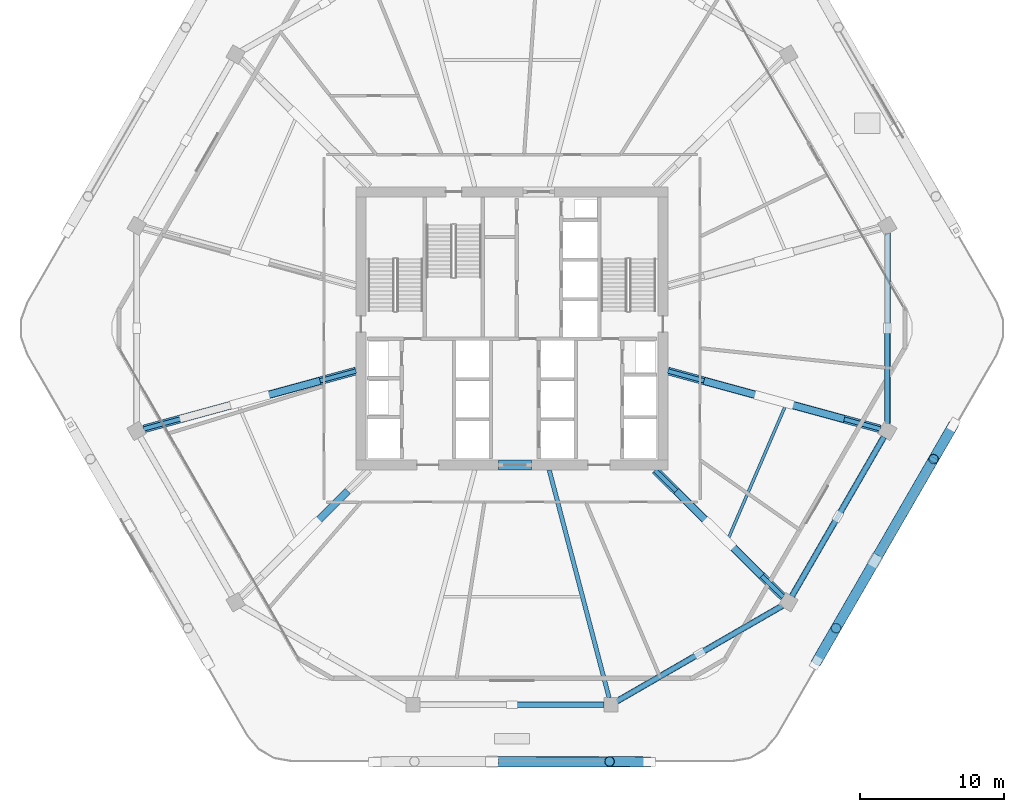
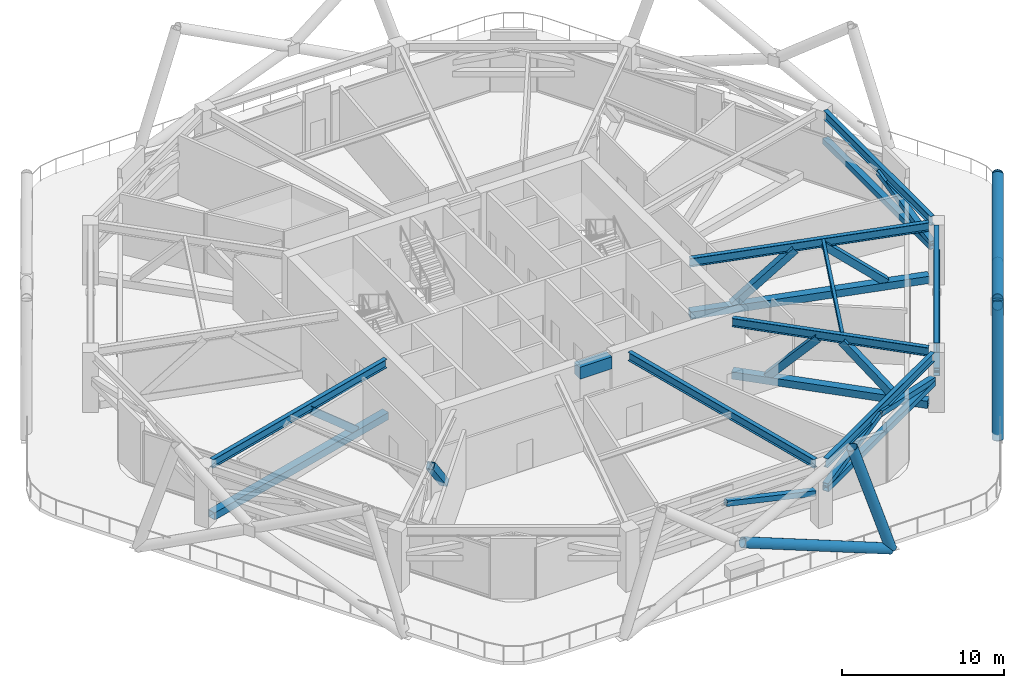
# One storey, part 5 of 20: 25 members, 9 beams.
"""IFC4 building model written with IfcOpenShell, lengths in metres."""

from ifc_helpers import new_model, si_unit, direction, frame, origin, origin_2d, place, context, subcontext, project, spatial, rectangle, hollow_rectangle, hollow_circle, i_section, extrude, material, material_profile, profile_set, type_object, element, save


model = new_model("IFC4")

# Units and contexts
model_context = context("Model", 3, precision=1e-05, world=origin(), true_north=direction((0.0, 1.0)))
body_context = subcontext(model_context, "Body", "Model", "MODEL_VIEW")
ifc_project = project(units=[si_unit("LENGTHUNIT", "METRE"), si_unit("AREAUNIT", "SQUARE_METRE"), si_unit("VOLUMEUNIT", "CUBIC_METRE"), si_unit("PLANEANGLEUNIT", "RADIAN"), si_unit("MASSUNIT", "GRAM", prefix="KILO")], contexts=[model_context])

# Site, building, storey
site_placement = place(None, origin())
site = spatial("IfcSite", under=ifc_project, at=site_placement, CompositionType="ELEMENT")
building_placement = place(site_placement, origin())
building = spatial("IfcBuilding", under=site, at=building_placement, Name="Zuhravey Tower", CompositionType="ELEMENT")
storey_placement = place(building_placement, frame((0.0, 0.0, 145.60009765625)))
storey = spatial("IfcBuildingStorey", under=building, at=storey_placement, Name="L36", CompositionType="ELEMENT", Elevation=145.60009765625)

# Members
ifc_material_1 = material(Name="Steel SM355", Category="steel")
ifc_material_profile_1 = material_profile(ifc_material_1, hollow_rectangle(XDim=0.419921875, YDim=0.419921875, WallThickness=0.028076171875, at=origin_2d()), Name="RHS-420x420x28")
ifc_profile_set_1 = profile_set([ifc_material_profile_1], Name="Steel SM355")
member_type_1 = type_object("IfcMemberType", Name="Belt Truss Chord RHS420x420", PredefinedType="CHORD", material=ifc_profile_set_1)
member_1_placement = place(storey_placement, frame((43.3193359375, 6.079345703125, 2.27001953125), z_axis=(0.866022260515, 0.500005444263, 0.0), x_axis=(-0.500005444263, 0.866022260515, 0.0)))
element("IfcMember", 1, at=member_1_placement, inside=storey, type_object=member_type_1, Name="L36 Belt Truss Bottom Chord BTC1-09", PredefinedType="CHORD", context=body_context, shape_type="SweptSolid", body=[
    extrude(hollow_rectangle(XDim=0.419921875, YDim=0.419921875, WallThickness=0.028076171875, at=origin_2d()), origin(), (0.0, 0.0, 1.0), 13.242919921875),
])
member_2_placement = place(storey_placement, frame((55.47802734375, 13.390625, 2.27001953125), z_axis=(0.499984807588, 0.86603417495, 0.0), x_axis=(-0.86603417495, 0.499984807588, 0.0)))
element("IfcMember", 2, at=member_2_placement, inside=storey, type_object=member_type_1, Name="L36 Belt Truss Bottom Chord BTC1-10", PredefinedType="CHORD", context=body_context, shape_type="SweptSolid", body=[
    extrude(hollow_rectangle(XDim=0.419921875, YDim=0.419921875, WallThickness=0.028076171875, at=origin_2d()), origin(), (0.0, 0.0, 1.0), 12.75439453125),
])
member_3_placement = place(storey_placement, frame((62.107666015625, 25.37841796875, 2.27001953125), z_axis=(0.0, 1.0, 0.0), x_axis=(-1.0, 0.0, 0.0)))
element("IfcMember", 3, at=member_3_placement, inside=storey, type_object=member_type_1, Name="L36 Belt Truss Bottom Chord BTC1-11", PredefinedType="CHORD", context=body_context, shape_type="SweptSolid", body=[
    extrude(hollow_rectangle(XDim=0.419921875, YDim=0.419921875, WallThickness=0.028076171875, at=origin_2d()), origin(), (0.0, 0.0, 1.0), 13.2431640625),
])
ifc_material_profile_2 = material_profile(ifc_material_1, hollow_rectangle(XDim=0.39990234375, YDim=0.39990234375, WallThickness=0.02490234375, at=origin_2d()), Name="RHS-400x400x25")
ifc_profile_set_2 = profile_set([ifc_material_profile_2], Name="Steel SM355")
member_type_2 = type_object("IfcMemberType", Name="Belt Truss Diagonal RHS400x400", PredefinedType="BRACE", material=ifc_profile_set_2)
member_4_placement = place(storey_placement, frame((42.3623046875, 5.826904296875, 2.4931640625), z_axis=(-0.975440481227, 0.0, 0.220263178003), x_axis=(0.0, -1.0, 0.0)))
element("IfcMember", 4, at=member_4_placement, inside=storey, type_object=member_type_2, Name="L36 Belt Truss Diagonal BTD1-08.2", PredefinedType="BRACE", context=body_context, shape_type="SweptSolid", body=[
    extrude(hollow_rectangle(XDim=0.39990234375, YDim=0.39990234375, WallThickness=0.02490234375, at=origin_2d()), origin(), (0.0, 0.0, 1.0), 6.49755859375),
])
for number, where, z_axis, x_axis, name in (
    (5, (43.33203125, 6.086669921875, 2.4931640625), (0.846240512643, 0.488593445156, 0.212493388395), (-0.500012477951, 0.866018199516, 0.0), "L36 Belt Truss Diagonal BTD1-09.1"),
    (6, (54.775390625, 12.693603515625, 2.4931640625), (-0.846240512643, -0.488593445156, 0.212493388395), (0.500012477951, -0.866018199516, 0.0), "L36 Belt Truss Diagonal BTD1-09.2"),
):
    element("IfcMember", number, at=place(storey_placement, frame(where, z_axis=z_axis, x_axis=x_axis)), inside=storey, type_object=member_type_2, Name=name, PredefinedType="BRACE", context=body_context, shape_type="SweptSolid", body=[
        extrude(hollow_rectangle(XDim=0.39990234375, YDim=0.39990234375, WallThickness=0.02490234375, at=origin_2d()), origin(), (0.0, 0.0, 1.0), 6.736083984375),
    ])
member_5_placement = place(storey_placement, frame((55.4853515625, 13.4033203125, 2.4931640625), z_axis=(0.487705061621, 0.844766787399, 0.220256322899), x_axis=(-0.866034845904, 0.499983645413, 0.0)))
element("IfcMember", 7, at=member_5_placement, inside=storey, type_object=member_type_2, Name="L36 Belt Truss Diagonal BTD1-10.1", PredefinedType="BRACE", context=body_context, shape_type="SweptSolid", body=[
    extrude(hollow_rectangle(XDim=0.39990234375, YDim=0.39990234375, WallThickness=0.02490234375, at=origin_2d()), origin(), (0.0, 0.0, 1.0), 6.49755859375),
])
member_6_placement = place(storey_placement, frame((61.847900390625, 24.423583984375, 2.4931640625), z_axis=(-0.487733697304, -0.844751307024, 0.220252286696), x_axis=(0.866018166656, -0.500012534865, 0.0)))
element("IfcMember", 8, at=member_6_placement, inside=storey, type_object=member_type_2, Name="L36 Belt Truss Diagonal BTD1-10.2", PredefinedType="BRACE", context=body_context, shape_type="SweptSolid", body=[
    extrude(hollow_rectangle(XDim=0.39990234375, YDim=0.39990234375, WallThickness=0.02490234375, at=origin_2d()), origin(), (0.0, 0.0, 1.0), 6.497802734375),
])
member_7_placement = place(storey_placement, frame((62.107666015625, 25.39306640625, 2.4931640625), z_axis=(0.0, 0.977163605411, 0.212488324995), x_axis=(-1.0, 0.0, 0.0)))
element("IfcMember", 9, at=member_7_placement, inside=storey, type_object=member_type_2, Name="L36 Belt Truss Diagonal BTD1-11.1", PredefinedType="BRACE", context=body_context, shape_type="SweptSolid", body=[
    extrude(hollow_rectangle(XDim=0.39990234375, YDim=0.39990234375, WallThickness=0.02490234375, at=origin_2d()), origin(), (0.0, 0.0, 1.0), 6.736328125),
])

# Beam
ifc_material_2 = material(Name="Concrete C60/75", Category="concrete")
ifc_material_profile_3 = material_profile(ifc_material_2, rectangle(XDim=0.699951171875, YDim=0.89990234375, at=origin_2d()), Name="RC-700x900")
ifc_profile_set_3 = profile_set([ifc_material_profile_3], Name="Concrete C60/75")
beam_type_1 = type_object("IfcBeamType", Name="Core Coupling Beam RC700x900", PredefinedType="LINTEL", material=ifc_profile_set_3)
beam_1_placement = place(storey_placement, frame((35.052001953125, 22.5, 4.099853515625), z_axis=(1.0, 0.0, 0.0), x_axis=(0.0, 1.0, 0.0)))
element("IfcBeam", 10, at=beam_1_placement, inside=storey, type_object=beam_type_1, Name="L36 CB1 BM-L36-CB-S", PredefinedType="LINTEL", context=body_context, shape_type="SweptSolid", body=[
    extrude(rectangle(XDim=0.699951171875, YDim=0.89990234375, at=origin_2d()), origin(), (0.0, 0.0, 1.0), 2.2958984375),
])

# Members
ifc_material_3 = material(Name="Steel SM460", Category="steel")
ifc_material_profile_4 = material_profile(ifc_material_3, hollow_circle(Radius=0.355712890625, WallThickness=0.031982421875, at=origin_2d()), Name="CHS-711.2x32")
ifc_profile_set_4 = profile_set([ifc_material_profile_4], Name="Steel SM460")
member_type_3 = type_object("IfcMemberType", Name="Exoskeleton Zone 2 Diagrid CHS711x32", PredefinedType="BRACE", material=ifc_profile_set_4)
member_8_placement = place(storey_placement, frame((45.548583984375, 1.846923828125, -0.47412109375), z_axis=(-0.30602065089, 0.003301018515, 0.952019151333), x_axis=(-0.010786286721, -0.999941826317, 0.0)))
element("IfcMember", 11, at=member_8_placement, inside=storey, type_object=member_type_3, Name="L36 Face 5 Diagrid Brace 4", PredefinedType="BRACE", context=body_context, shape_type="SweptSolid", body=[
    extrude(hollow_circle(Radius=0.355712890625, WallThickness=0.031982421875, at=origin_2d()), origin(), (0.0, 0.0, 1.0), 9.02294921875),
])
member_9_placement = place(storey_placement, frame((45.51513671875, 1.846923828125, -0.478271484375), z_axis=(-0.930282683061, 0.001287915295, 0.366841206616), x_axis=(-0.001384433016, -0.999999041672, 0.0)))
element("IfcMember", 12, at=member_9_placement, inside=storey, type_object=member_type_3, Name="L36 Face 5 Split Diagrid Brace 3A", PredefinedType="BRACE", context=body_context, shape_type="SweptSolid", body=[
    extrude(hollow_circle(Radius=0.355712890625, WallThickness=0.031982421875, at=origin_2d()), origin(), (0.0, 0.0, 1.0), 11.373779296875),
])
member_10_placement = place(storey_placement, frame((57.1572265625, 8.75927734375, -0.47412109375), z_axis=(0.153011979061, 0.265004301135, 0.952029440009), x_axis=(-0.866008883427, 0.500028613006, 0.0)))
element("IfcMember", 13, at=member_10_placement, inside=storey, type_object=member_type_3, Name="L36 Face 6 Diagrid Brace 1", PredefinedType="BRACE", context=body_context, shape_type="SweptSolid", body=[
    extrude(hollow_circle(Radius=0.355712890625, WallThickness=0.031982421875, at=origin_2d()), origin(), (0.0, 0.0, 1.0), 9.02294921875),
])
member_11_placement = place(storey_placement, frame((57.1728515625, 8.786376953125, -0.47412109375), z_axis=(0.44209943779, 0.765738370388, 0.467111159384), x_axis=(-0.866025313912, 0.500000155664, 0.0)))
element("IfcMember", 14, at=member_11_placement, inside=storey, type_object=member_type_3, Name="L36 Face 6 Diagrid Brace 2", PredefinedType="BRACE", context=body_context, shape_type="SweptSolid", body=[
    extrude(hollow_circle(Radius=0.355712890625, WallThickness=0.031982421875, at=origin_2d()), origin(), (0.0, 0.0, 1.0), 18.389892578125),
])
member_12_placement = place(storey_placement, frame((66.705810546875, 25.2978515625, -0.47412109375), z_axis=(-0.153010881853, -0.265029458489, 0.952022613265), x_axis=(0.866030989016, -0.499990325971, 0.0)))
element("IfcMember", 15, at=member_12_placement, inside=storey, type_object=member_type_3, Name="L36 Face 6 Diagrid Brace 4", PredefinedType="BRACE", context=body_context, shape_type="SweptSolid", body=[
    extrude(hollow_circle(Radius=0.355712890625, WallThickness=0.031982421875, at=origin_2d()), origin(), (0.0, 0.0, 1.0), 9.02294921875),
])
member_13_placement = place(storey_placement, frame((66.68896484375, 25.268798828125, -0.478271484375), z_axis=(-0.465130702236, -0.805655574647, 0.366841280226), x_axis=(0.866032274246, -0.499988099823, 0.0)))
element("IfcMember", 16, at=member_13_placement, inside=storey, type_object=member_type_3, Name="L36 Face 6 Split Diagrid Brace 3A", PredefinedType="BRACE", context=body_context, shape_type="SweptSolid", body=[
    extrude(hollow_circle(Radius=0.355712890625, WallThickness=0.031982421875, at=origin_2d()), origin(), (0.0, 0.0, 1.0), 11.373779296875),
])
member_14_placement = place(storey_placement, frame((61.10302734375, 15.593505859375, 4.03662109375), z_axis=(-0.390453349735, -0.676234043369, 0.624702889596), x_axis=(0.866009076391, -0.500028278809, 0.0)))
element("IfcMember", 17, at=member_14_placement, inside=storey, type_object=member_type_3, Name="L36 Face 6 Split Diagrid Brace 3B", PredefinedType="BRACE", context=body_context, shape_type="SweptSolid", body=[
    extrude(hollow_circle(Radius=0.355712890625, WallThickness=0.031982421875, at=origin_2d()), origin(), (0.0, 0.0, 1.0), 6.51904296875),
])
ifc_material_profile_5 = material_profile(ifc_material_3, hollow_rectangle(XDim=0.550048828125, YDim=0.550048828125, WallThickness=0.034912109375, at=origin_2d()), Name="RHS-550x550x35")
ifc_profile_set_5 = profile_set([ifc_material_profile_5], Name="Steel SM460")
member_type_4 = type_object("IfcMemberType", Name="Outrigger Truss Chord RHS550x550", PredefinedType="CHORD", material=ifc_profile_set_5)
member_15_placement = place(storey_placement, frame((25.14208984375, 29.0361328125, 0.31982421875), z_axis=(-0.964705930293, -0.263329580674, 0.0), x_axis=(0.263329580674, -0.964705930293, 0.0)))
element("IfcMember", 18, at=member_15_placement, inside=storey, type_object=member_type_4, Name="L36 Outrigger Bottom Chord OTC1-05", PredefinedType="CHORD", context=body_context, shape_type="SweptSolid", body=[
    extrude(hollow_rectangle(XDim=0.550048828125, YDim=0.550048828125, WallThickness=0.034912109375, at=origin_2d()), origin(), (0.0, 0.0, 1.0), 15.28564453125),
])
member_16_placement = place(storey_placement, frame((45.94921875, 22.1435546875, 0.31982421875), z_axis=(0.710400137377, -0.703798014216, 0.0), x_axis=(0.703798014216, 0.710400137377, 0.0)))
element("IfcMember", 19, at=member_16_placement, inside=storey, type_object=member_type_4, Name="L36 Outrigger Bottom Chord OTC1-07", PredefinedType="CHORD", context=body_context, shape_type="SweptSolid", body=[
    extrude(hollow_rectangle(XDim=0.550048828125, YDim=0.550048828125, WallThickness=0.034912109375, at=origin_2d()), origin(), (0.0, 0.0, 1.0), 12.535888671875),
])
member_17_placement = place(storey_placement, frame((46.85791015625, 29.0361328125, 0.31982421875), z_axis=(0.964705930293, -0.263329580674, 0.0), x_axis=(0.263329580674, 0.964705930293, 0.0)))
element("IfcMember", 20, at=member_17_placement, inside=storey, type_object=member_type_4, Name="L36 Outrigger Bottom Chord OTC1-08", PredefinedType="CHORD", context=body_context, shape_type="SweptSolid", body=[
    extrude(hollow_rectangle(XDim=0.550048828125, YDim=0.550048828125, WallThickness=0.034912109375, at=origin_2d()), origin(), (0.0, 0.0, 1.0), 15.28564453125),
])
ifc_material_profile_6 = material_profile(ifc_material_3, hollow_rectangle(XDim=0.5, YDim=0.5, WallThickness=0.031982421875, at=origin_2d()), Name="RHS-500x500x32")
ifc_profile_set_6 = profile_set([ifc_material_profile_6], Name="Steel SM460")
member_type_5 = type_object("IfcMemberType", Name="Outrigger Truss Diagonal RHS500x500", PredefinedType="BRACE", material=ifc_profile_set_6)
member_18_placement = place(storey_placement, frame((22.48779296875, 28.3115234375, 0.559814453125), z_axis=(-0.72669851559, -0.198333535266, 0.65770287838), x_axis=(0.263294134222, -0.964715605183, 0.0)))
element("IfcMember", 21, at=member_18_placement, inside=storey, type_object=member_type_5, Name="L36 Outrigger Diagonal OTD1-05.1", PredefinedType="BRACE", context=body_context, shape_type="SweptSolid", body=[
    extrude(hollow_rectangle(XDim=0.5, YDim=0.5, WallThickness=0.031982421875, at=origin_2d()), origin(), (0.0, 0.0, 1.0), 5.27587890625),
])
for number, where, z_axis, x_axis, name in (
    (22, (24.447998046875, 20.555419921875, 0.559814453125), (-0.486365087696, -0.481852210459, 0.728880956498), (0.703803299445, -0.710394901228, 0.0), "L36 Outrigger Diagonal OTD1-06.1"),
    (23, (47.552001953125, 20.555419921875, 0.559814453125), (0.486365087696, -0.481852210459, 0.728880956498), (0.703803299445, 0.710394901228, 0.0), "L36 Outrigger Diagonal OTD1-07.1"),
    (24, (53.251708984375, 14.908935546875, 0.559814453125), (-0.486365087696, 0.481852210459, 0.728880956498), (-0.703803299445, -0.710394901228, 0.0), "L36 Outrigger Diagonal OTD1-07.2"),
):
    element("IfcMember", number, at=place(storey_placement, frame(where, z_axis=z_axis, x_axis=x_axis)), inside=storey, type_object=member_type_5, Name=name, PredefinedType="BRACE", context=body_context, shape_type="SweptSolid", body=[
        extrude(hollow_rectangle(XDim=0.5, YDim=0.5, WallThickness=0.031982421875, at=origin_2d()), origin(), (0.0, 0.0, 1.0), 4.7607421875),
    ])
for number, where, z_axis, x_axis, name in (
    (25, (49.51220703125, 28.3115234375, 0.559814453125), (0.72669851559, -0.198333535266, 0.65770287838), (0.263294134222, 0.964715605183, 0.0), "L36 Outrigger Diagonal OTD1-08.1"),
    (26, (58.94970703125, 25.735595703125, 0.559814453125), (-0.72669851559, 0.198333535266, 0.65770287838), (-0.263294134222, -0.964715605183, 0.0), "L36 Outrigger Diagonal OTD1-08.2"),
):
    element("IfcMember", number, at=place(storey_placement, frame(where, z_axis=z_axis, x_axis=x_axis)), inside=storey, type_object=member_type_5, Name=name, PredefinedType="BRACE", context=body_context, shape_type="SweptSolid", body=[
        extrude(hollow_rectangle(XDim=0.5, YDim=0.5, WallThickness=0.031982421875, at=origin_2d()), origin(), (0.0, 0.0, 1.0), 5.27587890625),
    ])

# Beams
ifc_material_profile_7 = material_profile(ifc_material_1, i_section(OverallWidth=0.300048828125, OverallDepth=0.679931640625, WebThickness=0.012939453125, FlangeThickness=0.02197265625, at=origin_2d()), Name="H-680x300x13x22")
ifc_profile_set_7 = profile_set([ifc_material_profile_7], Name="Steel SM355")
beam_type_2 = type_object("IfcBeamType", Name="Perimeter Ring Beam H680x300", PredefinedType="BEAM", material=ifc_profile_set_7)
beam_2_placement = place(storey_placement, frame((43.317626953125, 6.078369140625, 4.2099609375), z_axis=(0.866022923061, 0.500004296715, 0.0), x_axis=(-0.500004296715, 0.866022923061, 0.0)))
element("IfcBeam", 27, at=beam_2_placement, inside=storey, type_object=beam_type_2, Name="L36 PB2 BM-L36-PB-10", PredefinedType="BEAM", context=body_context, shape_type="SweptSolid", body=[
    extrude(i_section(OverallWidth=0.300048828125, OverallDepth=0.679931640625, WebThickness=0.012939453125, FlangeThickness=0.02197265625, at=origin_2d()), origin(), (0.0, 0.0, 1.0), 13.2470703125),
])
beam_3_placement = place(storey_placement, frame((55.47705078125, 13.388916015625, 4.2099609375), z_axis=(0.499997974489, 0.866026573211, 0.0), x_axis=(-0.866026573211, 0.499997974489, 0.0)))
element("IfcBeam", 28, at=beam_3_placement, inside=storey, type_object=beam_type_2, Name="L36 PB2 BM-L36-PB-11", PredefinedType="BEAM", context=body_context, shape_type="SweptSolid", body=[
    extrude(i_section(OverallWidth=0.300048828125, OverallDepth=0.679931640625, WebThickness=0.012939453125, FlangeThickness=0.02197265625, at=origin_2d()), origin(), (0.0, 0.0, 1.0), 12.75830078125),
])
beam_4_placement = place(storey_placement, frame((62.107666015625, 25.37646484375, 4.2099609375), z_axis=(0.0, 1.0, 0.0), x_axis=(-1.0, 0.0, 0.0)))
element("IfcBeam", 29, at=beam_4_placement, inside=storey, type_object=beam_type_2, Name="L36 PB2 BM-L36-PB-12", PredefinedType="BEAM", context=body_context, shape_type="SweptSolid", body=[
    extrude(i_section(OverallWidth=0.300048828125, OverallDepth=0.679931640625, WebThickness=0.012939453125, FlangeThickness=0.02197265625, at=origin_2d()), origin(), (0.0, 0.0, 1.0), 13.2470703125),
])
ifc_material_profile_8 = material_profile(ifc_material_1, i_section(OverallWidth=0.300048828125, OverallDepth=0.64990234375, WebThickness=0.012939453125, FlangeThickness=0.02197265625, at=origin_2d()), Name="H-650x300x13x22")
ifc_profile_set_8 = profile_set([ifc_material_profile_8], Name="Steel SM355")
beam_type_3 = type_object("IfcBeamType", Name="Radial Primary Girder H650x300", PredefinedType="BEAM", material=ifc_profile_set_8)
beam_5_placement = place(storey_placement, frame((25.14697265625, 29.03759765625, 4.224853515625), z_axis=(-0.964701601771, -0.263345437667, 0.0), x_axis=(0.263345437667, -0.964701601771, 0.0)))
element("IfcBeam", 30, at=beam_5_placement, inside=storey, type_object=beam_type_3, Name="L36 RG2 BM-L36-RAD-07", PredefinedType="BEAM", context=body_context, shape_type="SweptSolid", body=[
    extrude(i_section(OverallWidth=0.300048828125, OverallDepth=0.64990234375, WebThickness=0.012939453125, FlangeThickness=0.02197265625, at=origin_2d()), origin(), (0.0, 0.0, 1.0), 15.309814453125),
])
beam_6_placement = place(storey_placement, frame((38.5908203125, 22.14697265625, 4.224853515625), z_axis=(0.254300244998, -0.967125320418, 0.0), x_axis=(0.967125320418, 0.254300244998, 0.0)))
element("IfcBeam", 31, at=beam_6_placement, inside=storey, type_object=beam_type_3, Name="L36 RG2 BM-L36-RAD-10", PredefinedType="BEAM", context=body_context, shape_type="SweptSolid", body=[
    extrude(i_section(OverallWidth=0.300048828125, OverallDepth=0.64990234375, WebThickness=0.012939453125, FlangeThickness=0.02197265625, at=origin_2d()), origin(), (0.0, 0.0, 1.0), 16.371826171875),
])
beam_7_placement = place(storey_placement, frame((45.945556640625, 22.14697265625, 4.224853515625), z_axis=(0.71040353357, -0.703794586148, 0.0), x_axis=(0.703794586148, 0.71040353357, 0.0)))
element("IfcBeam", 32, at=beam_7_placement, inside=storey, type_object=beam_type_3, Name="L36 RG2 BM-L36-RAD-11", PredefinedType="BEAM", context=body_context, shape_type="SweptSolid", body=[
    extrude(i_section(OverallWidth=0.300048828125, OverallDepth=0.64990234375, WebThickness=0.012939453125, FlangeThickness=0.02197265625, at=origin_2d()), origin(), (0.0, 0.0, 1.0), 12.559814453125),
])
beam_8_placement = place(storey_placement, frame((46.85302734375, 29.03759765625, 4.224853515625), z_axis=(0.964701601771, -0.263345437667, 0.0), x_axis=(0.263345437667, 0.964701601771, 0.0)))
element("IfcBeam", 33, at=beam_8_placement, inside=storey, type_object=beam_type_3, Name="L36 RG2 BM-L36-RAD-12", PredefinedType="BEAM", context=body_context, shape_type="SweptSolid", body=[
    extrude(i_section(OverallWidth=0.300048828125, OverallDepth=0.64990234375, WebThickness=0.012939453125, FlangeThickness=0.02197265625, at=origin_2d()), origin(), (0.0, 0.0, 1.0), 15.309814453125),
])
ifc_material_profile_9 = material_profile(ifc_material_1, i_section(OverallWidth=0.199951171875, OverallDepth=0.39990234375, WebThickness=0.008056640625, FlangeThickness=0.012939453125, at=origin_2d()), Name="H-400x200x8x13")
ifc_profile_set_9 = profile_set([ifc_material_profile_9], Name="Steel SM355")
beam_type_4 = type_object("IfcBeamType", Name="Secondary Floor Joist H400x200", PredefinedType="JOIST", material=ifc_profile_set_9)
beam_9_placement = place(storey_placement, frame((51.017578125, 17.323974609375, 4.349853515625), z_axis=(0.395265853487, 0.918566766799, 0.0), x_axis=(-0.918566766799, 0.395265853487, 0.0)))
element("IfcBeam", 34, at=beam_9_placement, inside=storey, type_object=beam_type_4, Name="L36 SJ2 BM-L36-SJ-11-1", PredefinedType="JOIST", context=body_context, shape_type="SweptSolid", body=[
    extrude(i_section(OverallWidth=0.199951171875, OverallDepth=0.39990234375, WebThickness=0.008056640625, FlangeThickness=0.012939453125, at=origin_2d()), origin(), (0.0, 0.0, 1.0), 10.150146484375),
])

save(model, "model.ifc")
